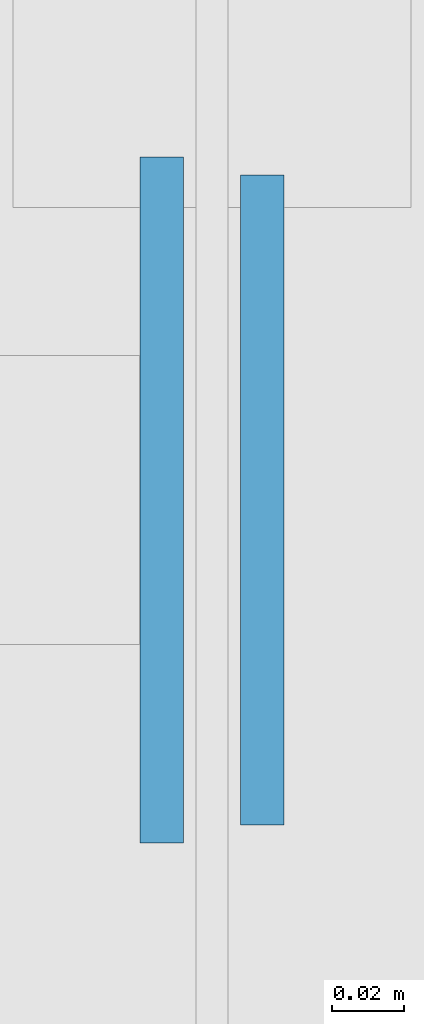
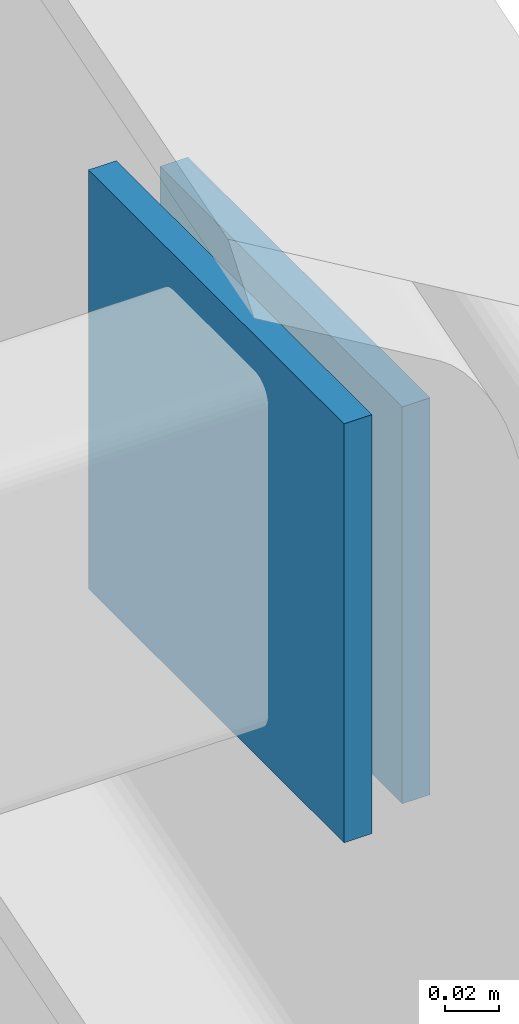
# One storey, part 141 of 163: 2 plates.
"""IFC4 building model written with IfcOpenShell, lengths in metres."""

from ifc_helpers import new_model, si_unit, direction, frame, origin, origin_2d, place, context, subcontext, project, spatial, rectangle, extrude, material, layer, layer_set, type_object, element, save


model = new_model("IFC4")

# Units and contexts
model_context = context("Model", 3, precision=1e-05, world=origin(), true_north=direction((0.0, 1.0)))
body_context = subcontext(model_context, "Body", "Model", "MODEL_VIEW")
ifc_project = project(units=[si_unit("LENGTHUNIT", "METRE"), si_unit("AREAUNIT", "SQUARE_METRE"), si_unit("VOLUMEUNIT", "CUBIC_METRE"), si_unit("PLANEANGLEUNIT", "RADIAN"), si_unit("MASSUNIT", "GRAM", prefix="KILO")], contexts=[model_context])

# Site, building, storey
site_placement = place(None, origin())
site = spatial("IfcSite", under=ifc_project, at=site_placement, CompositionType="ELEMENT")
building_placement = place(site_placement, origin())
building = spatial("IfcBuilding", under=site, at=building_placement, Name="Tharagai Park Tramway Depot", CompositionType="ELEMENT")
storey_placement = place(building_placement, frame((0.0, 0.0, 8.39990234375)))
storey = spatial("IfcBuildingStorey", under=building, at=storey_placement, Name="L02", CompositionType="ELEMENT", Elevation=8.39990234375)

# Plates
ifc_material = material(Name="Steel E350", Category="steel")
ifc_layer = layer(ifc_material, 0.011962890625)
ifc_layer_set = layer_set([ifc_layer], Name="Steel E350")
plate_type = type_object("IfcPlateType", Name="GP-04", PredefinedType="SHEET", material=ifc_layer_set)
plate_1_placement = place(storey_placement, frame((125.986083984375, 103.5, 1.8515625), z_axis=(0.0, 0.0, 1.0), x_axis=(1.0, 0.0, 0.0)))
element("IfcPlate", 1, at=plate_1_placement, inside=storey, type_object=plate_type, Name="Tube End Cap Plate GP-04", PredefinedType="SHEET", context=body_context, shape_type="SweptSolid", body=[
    extrude(rectangle(XDim=0.011962890625, YDim=0.18994140625, at=origin_2d()), origin(), (0.0, 0.0, 1.0), 0.18994140625),
])
plate_2_placement = place(storey_placement, frame((126.013916015625, 103.5, 1.8564453125), z_axis=(0.0, 0.0, 1.0), x_axis=(1.0, 0.0, 0.0)))
element("IfcPlate", 2, at=plate_2_placement, inside=storey, type_object=plate_type, Name="Tube End Cap Plate GP-04", PredefinedType="SHEET", context=body_context, shape_type="SweptSolid", body=[
    extrude(rectangle(XDim=0.011962890625, YDim=0.179931640625, at=origin_2d()), origin(), (0.0, 0.0, 1.0), 0.179931640625),
])

save(model, "model.ifc")
